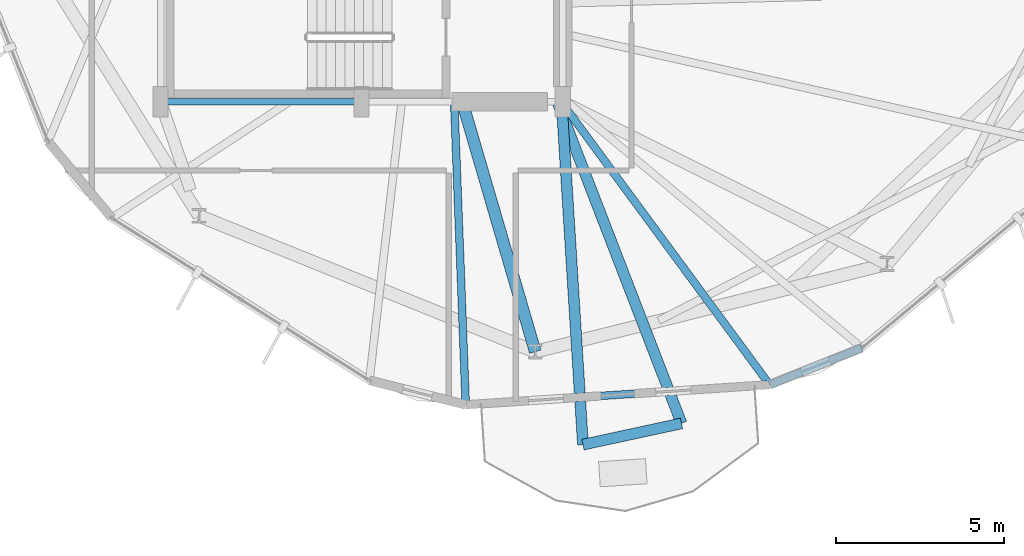
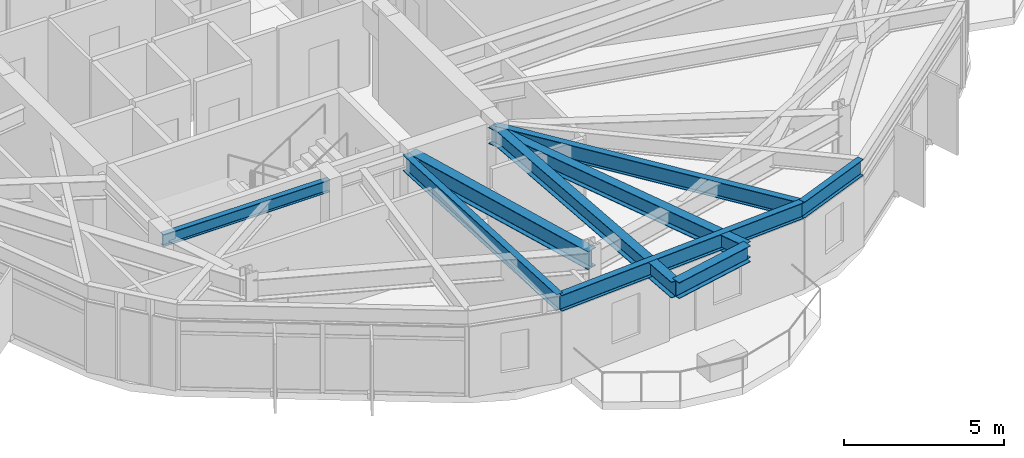
# One storey, part 4 of 24: 9 beams.
"""IFC4 building model written with IfcOpenShell, lengths in metres."""

from ifc_helpers import new_model, si_unit, direction, frame, origin, origin_2d, place, context, subcontext, project, spatial, i_section, extrude, material, material_profile, profile_set, type_object, element, save


model = new_model("IFC4")

# Units and contexts
model_context = context("Model", 3, precision=1e-05, world=origin(), true_north=direction((0.0, 1.0)))
body_context = subcontext(model_context, "Body", "Model", "MODEL_VIEW")
ifc_project = project(units=[si_unit("LENGTHUNIT", "METRE"), si_unit("AREAUNIT", "SQUARE_METRE"), si_unit("VOLUMEUNIT", "CUBIC_METRE"), si_unit("PLANEANGLEUNIT", "RADIAN"), si_unit("MASSUNIT", "GRAM", prefix="KILO")], contexts=[model_context])

# Site, building, storey
site_placement = place(None, origin())
site = spatial("IfcSite", under=ifc_project, at=site_placement, CompositionType="ELEMENT")
building_placement = place(site_placement, origin())
building = spatial("IfcBuilding", under=site, at=building_placement, Name="Soratama Intermodal Tower", CompositionType="ELEMENT")
storey_placement = place(building_placement, frame((0.0, 0.0, 178.60009765625)))
storey = spatial("IfcBuildingStorey", under=building, at=storey_placement, Name="L44", CompositionType="ELEMENT", Elevation=178.60009765625)

# Beams
ifc_material_1 = material(Name="Structural steel ASTM A992 Grade 50", Category="steel")
ifc_material_profile_1 = material_profile(ifc_material_1, i_section(OverallWidth=0.324951171875, OverallDepth=0.615966796875, WebThickness=0.013916015625, FlangeThickness=0.021484375, FilletRadius=0.013916015625, at=origin_2d()), Name="W24X117")
ifc_profile_set_1 = profile_set([ifc_material_profile_1], Name="Structural steel ASTM A992 Grade 50")
beam_type_1 = type_object("IfcBeamType", Name="BM-CANT-W24X117", PredefinedType="BEAM", material=ifc_profile_set_1)
beam_1_placement = place(storey_placement, frame((45.201904296875, 4.77001953125, 2.991943359375), z_axis=(0.977462623116, 0.211108551252, 0.0), x_axis=(-0.211108551252, 0.977462623116, 0.0)))
element("IfcBeam", 1, at=beam_1_placement, inside=storey, type_object=beam_type_1, Name="BM-L44-CBHDR-3", PredefinedType="BEAM", context=body_context, shape_type="SweptSolid", body=[
    extrude(i_section(OverallWidth=0.324951171875, OverallDepth=0.615966796875, WebThickness=0.013916015625, FlangeThickness=0.021484375, FilletRadius=0.013916015625, at=origin_2d()), origin(), (0.0, 0.0, 1.0), 3.008056640625),
])
beam_2_placement = place(storey_placement, frame((44.56591796875, 14.9599609375, 2.991943359375), z_axis=(0.062291940565, -0.998057971333, 0.0), x_axis=(0.998057971333, 0.062291940565, 0.0)))
element("IfcBeam", 2, at=beam_2_placement, inside=storey, type_object=beam_type_1, Name="BM-L44-CANT-3-1", PredefinedType="BEAM", context=body_context, shape_type="SweptSolid", body=[
    extrude(i_section(OverallWidth=0.324951171875, OverallDepth=0.615966796875, WebThickness=0.013916015625, FlangeThickness=0.021484375, FilletRadius=0.013916015625, at=origin_2d()), origin(), (0.0, 0.0, 1.0), 10.209716796875),
])
beam_3_placement = place(storey_placement, frame((44.451904296875, 14.962890625, 2.991943359375), z_axis=(0.360176378763, -0.932884224425, 0.0), x_axis=(0.932884224425, 0.360176378763, 0.0)))
element("IfcBeam", 3, at=beam_3_placement, inside=storey, type_object=beam_type_1, Name="BM-L44-CANT-3-2", PredefinedType="BEAM", context=body_context, shape_type="SweptSolid", body=[
    extrude(i_section(OverallWidth=0.324951171875, OverallDepth=0.615966796875, WebThickness=0.013916015625, FlangeThickness=0.021484375, FilletRadius=0.013916015625, at=origin_2d()), origin(), (0.0, 0.0, 1.0), 10.24560546875),
])
ifc_material_2 = material(Name="Structural steel ASTM A992 Grade 50", Category="steel")
ifc_material_profile_2 = material_profile(ifc_material_2, i_section(OverallWidth=0.19091796875, OverallDepth=0.4599609375, WebThickness=0.010009765625, FlangeThickness=0.01611328125, FilletRadius=0.010986328125, at=origin_2d()), Name="W18X55")
ifc_profile_set_2 = profile_set([ifc_material_profile_2], Name="Structural steel ASTM A992 Grade 50")
beam_type_2 = type_object("IfcBeamType", Name="BM-FLR-W18X55", PredefinedType="BEAM", material=ifc_profile_set_2)
beam_4_placement = place(storey_placement, frame((32.60009765625, 15.0, 3.06982421875), z_axis=(1.0, 0.0, 0.0), x_axis=(0.0, 1.0, 0.0)))
element("IfcBeam", 4, at=beam_4_placement, inside=storey, type_object=beam_type_2, Name="BM-L44-CRING-01", PredefinedType="BEAM", context=body_context, shape_type="SweptSolid", body=[
    extrude(i_section(OverallWidth=0.19091796875, OverallDepth=0.4599609375, WebThickness=0.010009765625, FlangeThickness=0.01611328125, FilletRadius=0.010986328125, at=origin_2d()), origin(), (0.0, 0.0, 1.0), 6.0),
])
ifc_material_3 = material(Name="Structural steel ASTM A992 Grade 50", Category="steel")
ifc_material_profile_3 = material_profile(ifc_material_3, i_section(OverallWidth=0.35498046875, OverallDepth=0.695068359375, WebThickness=0.015380859375, FlangeThickness=0.02490234375, FilletRadius=0.01611328125, at=origin_2d()), Name="W27X146")
ifc_profile_set_3 = profile_set([ifc_material_profile_3], Name="Structural steel ASTM A992 Grade 50")
beam_type_3 = type_object("IfcBeamType", Name="BM-RING-W27X146", PredefinedType="BEAM", material=ifc_profile_set_3)
beam_5_placement = place(storey_placement, frame((41.60009765625, 15.0, 2.952392578125), z_axis=(0.280473008484, -0.959861912731, 0.0), x_axis=(0.959861912731, 0.280473008484, 0.0)))
element("IfcBeam", 5, at=beam_5_placement, inside=storey, type_object=beam_type_3, Name="BM-L44-RAD-08", PredefinedType="BEAM", context=body_context, shape_type="SweptSolid", body=[
    extrude(i_section(OverallWidth=0.35498046875, OverallDepth=0.695068359375, WebThickness=0.015380859375, FlangeThickness=0.02490234375, FilletRadius=0.01611328125, at=origin_2d()), origin(), (0.0, 0.0, 1.0), 7.768798828125),
])
ifc_material_4 = material(Name="Structural steel ASTM A992 Grade 50", Category="steel")
ifc_material_profile_4 = material_profile(ifc_material_4, i_section(OverallWidth=0.22900390625, OverallDepth=0.612060546875, WebThickness=0.011962890625, FlangeThickness=0.01953125, FilletRadius=0.012939453125, at=origin_2d()), Name="W24X84")
ifc_profile_set_4 = profile_set([ifc_material_profile_4], Name="Structural steel ASTM A992 Grade 50")
beam_type_4 = type_object("IfcBeamType", Name="BM-SPN-W24X84", PredefinedType="SPANDREL", material=ifc_profile_set_4)
beam_6_placement = place(storey_placement, frame((41.705078125, 5.9580078125, 2.993896484375), z_axis=(0.997825747995, 0.065907333724, 0.0), x_axis=(-0.065907333724, 0.997825747995, 0.0)))
element("IfcBeam", 6, at=beam_6_placement, inside=storey, type_object=beam_type_4, Name="BS-L44-F07", PredefinedType="SPANDREL", context=body_context, shape_type="SweptSolid", body=[
    extrude(i_section(OverallWidth=0.22900390625, OverallDepth=0.612060546875, WebThickness=0.011962890625, FlangeThickness=0.01953125, FilletRadius=0.012939453125, at=origin_2d()), origin(), (0.0, 0.0, 1.0), 9.086669921875),
])
beam_7_placement = place(storey_placement, frame((50.77197265625, 6.556884765625, 2.993896484375), z_axis=(0.92859014456, 0.371106916435, 0.0), x_axis=(-0.371106916435, 0.92859014456, 0.0)))
element("IfcBeam", 7, at=beam_7_placement, inside=storey, type_object=beam_type_4, Name="BS-L44-CRN07", PredefinedType="SPANDREL", context=body_context, shape_type="SweptSolid", body=[
    extrude(i_section(OverallWidth=0.22900390625, OverallDepth=0.612060546875, WebThickness=0.011962890625, FlangeThickness=0.01953125, FilletRadius=0.012939453125, at=origin_2d()), origin(), (0.0, 0.0, 1.0), 2.967041015625),
])
ifc_material_5 = material(Name="Structural steel ASTM A992 Grade 50", Category="steel")
ifc_material_profile_5 = material_profile(ifc_material_5, i_section(OverallWidth=0.22900390625, OverallDepth=0.612060546875, WebThickness=0.011962890625, FlangeThickness=0.01953125, FilletRadius=0.012939453125, at=origin_2d()), Name="W24X84")
ifc_profile_set_5 = profile_set([ifc_material_profile_5], Name="Structural steel ASTM A992 Grade 50")
beam_type_5 = type_object("IfcBeamType", Name="BM-TIE-W24X84", PredefinedType="BEAM", material=ifc_profile_set_5)
beam_8_placement = place(storey_placement, frame((41.362060546875, 14.9599609375, 2.993896484375), z_axis=(0.038077161443, -0.999274801932, 0.0), x_axis=(0.999274801932, 0.038077161443, 0.0)))
element("IfcBeam", 8, at=beam_8_placement, inside=storey, type_object=beam_type_5, Name="BM-L44-TIE0-07", PredefinedType="BEAM", context=body_context, shape_type="SweptSolid", body=[
    extrude(i_section(OverallWidth=0.22900390625, OverallDepth=0.612060546875, WebThickness=0.011962890625, FlangeThickness=0.01953125, FilletRadius=0.012939453125, at=origin_2d()), origin(), (0.0, 0.0, 1.0), 9.008544921875),
])
beam_9_placement = place(storey_placement, frame((44.575927734375, 14.968017578125, 2.993896484375), z_axis=(0.593097792941, -0.80513042919, 0.0), x_axis=(0.80513042919, 0.593097792941, 0.0)))
element("IfcBeam", 9, at=beam_9_placement, inside=storey, type_object=beam_type_5, Name="BM-L44-TIE1-07", PredefinedType="BEAM", context=body_context, shape_type="SweptSolid", body=[
    extrude(i_section(OverallWidth=0.22900390625, OverallDepth=0.612060546875, WebThickness=0.011962890625, FlangeThickness=0.01953125, FilletRadius=0.012939453125, at=origin_2d()), origin(), (0.0, 0.0, 1.0), 10.447021484375),
])

save(model, "model.ifc")
